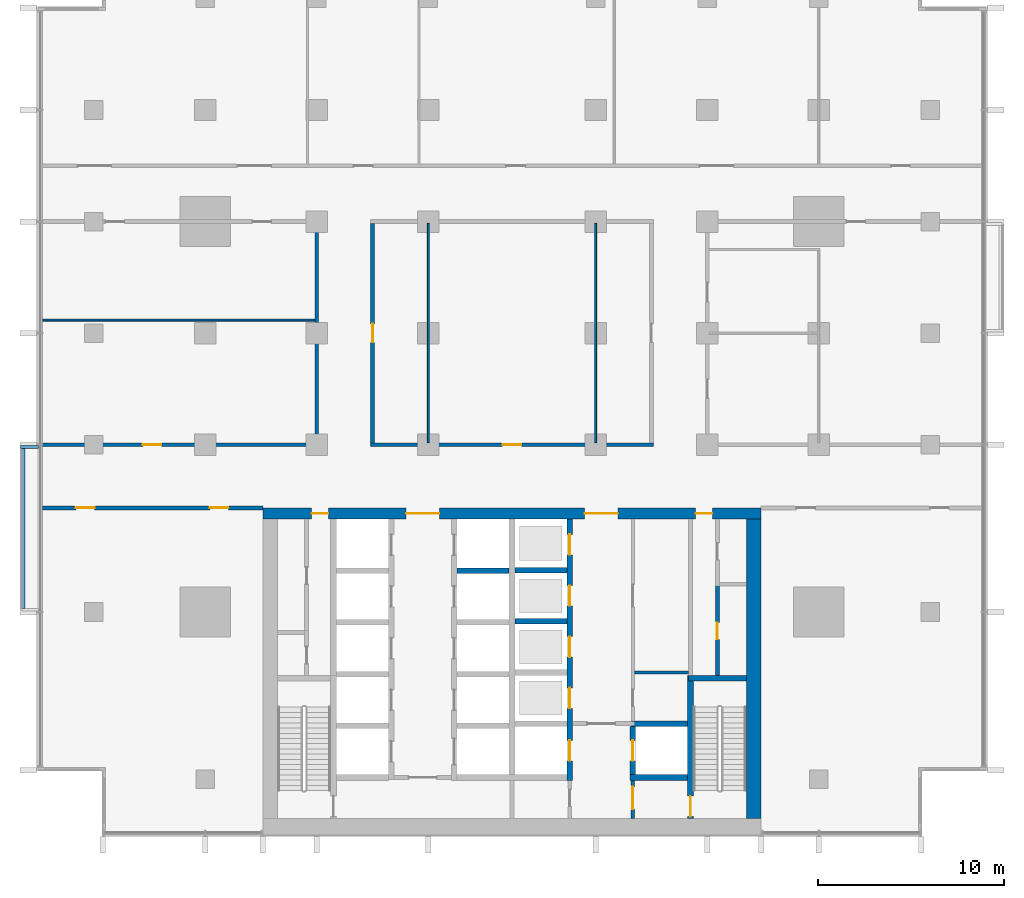
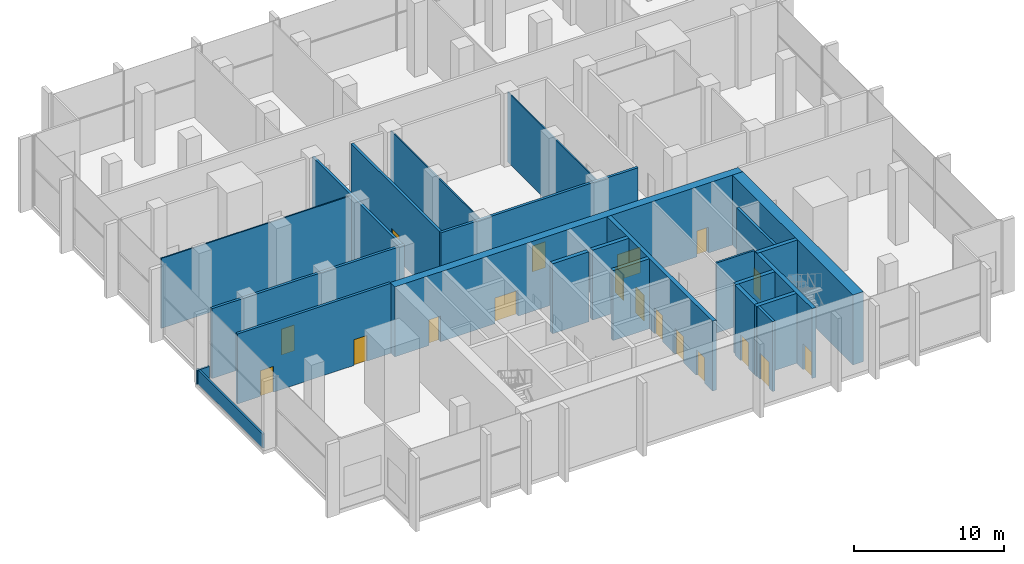
# One storey, part 8 of 16: 24 walls, 18 doors, 18 openings.
"""IFC4 building model written with IfcOpenShell, lengths in metres."""

from ifc_helpers import new_model, si_unit, direction, frame, frame_2d, origin, place, context, subcontext, project, spatial, rectangle, extrude, material, layer, layer_set, type_object, element, fill, save


model = new_model("IFC4")

# Units and contexts
model_context = context("Model", 3, precision=1e-05, world=origin(), true_north=direction((0.0, 1.0)))
body_context = subcontext(model_context, "Body", "Model", "MODEL_VIEW")
ifc_project = project(units=[si_unit("LENGTHUNIT", "METRE"), si_unit("AREAUNIT", "SQUARE_METRE"), si_unit("VOLUMEUNIT", "CUBIC_METRE"), si_unit("PLANEANGLEUNIT", "RADIAN"), si_unit("MASSUNIT", "GRAM", prefix="KILO")], contexts=[model_context])

# Site, building, storey
site_placement = place(None, origin())
site = spatial("IfcSite", under=ifc_project, at=site_placement, CompositionType="ELEMENT")
building_placement = place(site_placement, origin())
building = spatial("IfcBuilding", under=site, at=building_placement, Name="Finial Court Residences", CompositionType="ELEMENT")
storey_placement = place(building_placement, frame((0.0, 0.0, 127.89990234375)))
storey = spatial("IfcBuildingStorey", under=building, at=storey_placement, Name="L32", CompositionType="ELEMENT", Elevation=127.89990234375)

# Wall, openings, doors
ifc_material_1 = material(Name="Concrete C70/85", Category="concrete")
ifc_layer_1 = layer(ifc_material_1, 0.60009765625)
ifc_layer_set_1 = layer_set([ifc_layer_1], Name="Core outer wall 600 Concrete C70/85")
wall_type_1 = type_object("IfcWallType", Name="Core outer wall 600 Concrete C70/85", PredefinedType="SHEAR", material=ifc_layer_set_1)
wall_1_placement = place(storey_placement, frame((-13.39990234375, -8.199951171875, 0.0), z_axis=(0.0, 0.0, 1.0), x_axis=(1.0, 0.0, 0.0)))
wall_1 = element("IfcWall", 1, at=wall_1_placement, inside=storey, type_object=wall_type_1, Name="Core outer wall L32-02", PredefinedType="SHEAR", context=body_context, shape_type="SweptSolid", body=[
    extrude(rectangle(XDim=26.7998046875, YDim=0.60009765625, at=frame_2d((13.39990234375, 0.0))), origin(), (0.0, 0.0, 1.0), 5.7001953125),
])
opening_1_placement = place(wall_1_placement, frame((7.699951171875, 0.0, 0.0)))
opening_1 = element("IfcOpeningElement", 2, at=opening_1_placement, cuts=wall_1, Name="Opening L32-C04", PredefinedType="OPENING", context=body_context, shape_type="SweptSolid", body=[
    extrude(rectangle(XDim=1.800048828125, YDim=2.10009765625, at=frame_2d((0.89990234375, 1.050048828125))), frame((0.0, 0.31005859375, 0.0), z_axis=(0.0, -1.0, 0.0), x_axis=(1.0, 0.0, 0.0)), (0.0, 0.0, 1.0), 0.6201171875),
])
opening_2_placement = place(wall_1_placement, frame((17.300048828125, 0.0, 0.0)))
opening_2 = element("IfcOpeningElement", 3, at=opening_2_placement, cuts=wall_1, Name="Opening L32-C05", PredefinedType="OPENING", context=body_context, shape_type="SweptSolid", body=[
    extrude(rectangle(XDim=1.800048828125, YDim=2.10009765625, at=frame_2d((0.89990234375, 1.050048828125))), frame((0.0, 0.31005859375, 0.0), z_axis=(0.0, -1.0, 0.0), x_axis=(1.0, 0.0, 0.0)), (0.0, 0.0, 1.0), 0.6201171875),
])
opening_3_placement = place(wall_1_placement, frame((2.625, 0.0, 0.0)))
opening_3 = element("IfcOpeningElement", 4, at=opening_3_placement, cuts=wall_1, Name="Opening L32-C09", PredefinedType="OPENING", context=body_context, shape_type="SweptSolid", body=[
    extrude(rectangle(XDim=0.89990234375, YDim=2.10009765625, at=frame_2d((0.449951171875, 1.050048828125))), frame((0.0, 0.31005859375, 0.0), z_axis=(0.0, -1.0, 0.0), x_axis=(1.0, 0.0, 0.0)), (0.0, 0.0, 1.0), 0.6201171875),
])
opening_4_placement = place(wall_1_placement, frame((23.27490234375, 0.0, 0.0)))
opening_4 = element("IfcOpeningElement", 5, at=opening_4_placement, cuts=wall_1, Name="Opening L32-C10", PredefinedType="OPENING", context=body_context, shape_type="SweptSolid", body=[
    extrude(rectangle(XDim=0.89990234375, YDim=2.10009765625, at=frame_2d((0.449951171875, 1.050048828125))), frame((0.0, 0.31005859375, 0.0), z_axis=(0.0, -1.0, 0.0), x_axis=(1.0, 0.0, 0.0)), (0.0, 0.0, 1.0), 0.6201171875),
])
ifc_material_2 = material(Name="Steel fire door", Category="steel")
door_type_1 = type_object("IfcDoorType", Name="Lift lobby door 1800 x 2100 EI 60", OperationType="DOUBLE_DOOR_SINGLE_SWING", PredefinedType="DOOR", material=ifc_material_2)
door_1_placement = place(opening_1_placement, origin())
door_1 = element("IfcDoor", 6, at=door_1_placement, inside=storey, type_object=door_type_1, Name="Lift lobby door L32-C04", OperationType="DOUBLE_DOOR_SINGLE_SWING", OverallHeight=2.10009765625, OverallWidth=1.800048828125, PredefinedType="DOOR", context=body_context, shape_type="SweptSolid", body=[
    extrude(rectangle(XDim=1.800048828125, YDim=2.10009765625, at=frame_2d((0.89990234375, 1.050048828125))), frame((0.0, 0.02490234375, 0.0), z_axis=(0.0, -1.0, 0.0), x_axis=(1.0, 0.0, 0.0)), (0.0, 0.0, 1.0), 0.050048828125),
])
fill(opening_1, door_1)
door_2_placement = place(opening_2_placement, origin())
door_2 = element("IfcDoor", 7, at=door_2_placement, inside=storey, type_object=door_type_1, Name="Lift lobby door L32-C05", OperationType="DOUBLE_DOOR_SINGLE_SWING", OverallHeight=2.10009765625, OverallWidth=1.800048828125, PredefinedType="DOOR", context=body_context, shape_type="SweptSolid", body=[
    extrude(rectangle(XDim=1.800048828125, YDim=2.10009765625, at=frame_2d((0.89990234375, 1.050048828125))), frame((0.0, 0.02490234375, 0.0), z_axis=(0.0, -1.0, 0.0), x_axis=(1.0, 0.0, 0.0)), (0.0, 0.0, 1.0), 0.050048828125),
])
fill(opening_2, door_2)
door_type_2 = type_object("IfcDoorType", Name="Riser room door 900 x 2100 EI 90", OperationType="NOTDEFINED", PredefinedType="DOOR", material=ifc_material_2)
door_3_placement = place(opening_3_placement, origin())
door_3 = element("IfcDoor", 8, at=door_3_placement, inside=storey, type_object=door_type_2, Name="Riser room door L32-C09", OperationType="SINGLE_SWING_RIGHT", OverallHeight=2.10009765625, OverallWidth=0.89990234375, PredefinedType="DOOR", context=body_context, shape_type="SweptSolid", body=[
    extrude(rectangle(XDim=0.89990234375, YDim=2.10009765625, at=frame_2d((0.449951171875, 1.050048828125))), frame((0.0, 0.02490234375, 0.0), z_axis=(0.0, -1.0, 0.0), x_axis=(1.0, 0.0, 0.0)), (0.0, 0.0, 1.0), 0.050048828125),
])
fill(opening_3, door_3)
door_4_placement = place(opening_4_placement, origin())
door_4 = element("IfcDoor", 9, at=door_4_placement, inside=storey, type_object=door_type_2, Name="Riser room door L32-C10", OperationType="SINGLE_SWING_LEFT", OverallHeight=2.10009765625, OverallWidth=0.89990234375, PredefinedType="DOOR", context=body_context, shape_type="SweptSolid", body=[
    extrude(rectangle(XDim=0.89990234375, YDim=2.10009765625, at=frame_2d((0.449951171875, 1.050048828125))), frame((0.0, 0.02490234375, 0.0), z_axis=(0.0, -1.0, 0.0), x_axis=(1.0, 0.0, 0.0)), (0.0, 0.0, 1.0), 0.050048828125),
])
fill(opening_4, door_4)

# Walls
ifc_layer_2 = layer(ifc_material_1, 0.800048828125)
ifc_layer_set_2 = layer_set([ifc_layer_2], Name="Core outer wall 800 Concrete C70/85")
wall_type_2 = type_object("IfcWallType", Name="Core outer wall 800 Concrete C70/85", PredefinedType="SHEAR", material=ifc_layer_set_2)
wall_2_placement = place(storey_placement, frame((13.0, -24.60009765625, 0.0), z_axis=(0.0, 0.0, 1.0), x_axis=(0.0, 1.0, 0.0)))
element("IfcWall", 10, at=wall_2_placement, inside=storey, type_object=wall_type_2, Name="Core outer wall L32-04", PredefinedType="SHEAR", context=body_context, shape_type="SweptSolid", body=[
    extrude(rectangle(XDim=16.10009765625, YDim=0.800048828125, at=frame_2d((8.050048828125, 0.0))), origin(), (0.0, 0.0, 1.0), 5.7001953125),
])
ifc_material_3 = material(Name="Fire-rated gypsum board partition")
ifc_layer_3 = layer(ifc_material_3, 0.14990234375)
ifc_layer_set_3 = layer_set([ifc_layer_3], Name="Core room partition 150 EI 60")
wall_type_3 = type_object("IfcWallType", Name="Core room partition 150 EI 60", PredefinedType="PARTITIONING", material=ifc_layer_set_3)
wall_3_placement = place(storey_placement, frame((6.574951171875, -16.75, 0.0), z_axis=(0.0, 0.0, 1.0), x_axis=(1.0, 0.0, 0.0)))
element("IfcWall", 11, at=wall_3_placement, inside=storey, type_object=wall_type_3, Name="Core partition L32-15", PredefinedType="PARTITIONING", context=body_context, shape_type="SweptSolid", body=[
    extrude(rectangle(XDim=2.925048828125, YDim=0.14990234375, at=frame_2d((1.46240234375, 0.0))), origin(), (0.0, 0.0, 1.0), 5.7001953125),
])

# Wall, openings, doors
ifc_material_4 = material(Name="Gypsum board")
ifc_layer_4 = layer(ifc_material_4, 0.02490234375)
ifc_material_5 = material(Name="Acoustic mineral wool in double frame")
ifc_layer_5 = layer(ifc_material_5, 0.14990234375)
ifc_layer_6 = layer(ifc_material_4, 0.02490234375)
ifc_layer_set_4 = layer_set([ifc_layer_4, ifc_layer_5, ifc_layer_6], Name="Corridor wall 200, 1 hour")
wall_type_4 = type_object("IfcWallType", Name="Corridor wall 200, 1 hour", PredefinedType="PARTITIONING", material=ifc_layer_set_4)
wall_4_placement = place(storey_placement, frame((-25.237548828125, -7.89990234375, 0.0), z_axis=(0.0, 0.0, 1.0), x_axis=(1.0, 0.0, 0.0)))
wall_4 = element("IfcWall", 12, at=wall_4_placement, inside=storey, type_object=wall_type_4, Name="Partition L32-000", PredefinedType="PARTITIONING", context=body_context, shape_type="SweptSolid", body=[
    extrude(rectangle(XDim=11.837646484375, YDim=0.199951171875, at=frame_2d((5.9189453125, 0.0))), origin(), (0.0, 0.0, 1.0), 5.7001953125),
])
opening_5_placement = place(wall_4_placement, frame((1.7880859375, 0.0, 0.0)))
opening_5 = element("IfcOpeningElement", 13, at=opening_5_placement, cuts=wall_4, Name="Opening L32-D001", PredefinedType="OPENING", context=body_context, shape_type="SweptSolid", body=[
    extrude(rectangle(XDim=1.0, YDim=2.10009765625, at=frame_2d((0.5, 1.050048828125))), frame((0.0, 0.10986328125, 0.0), z_axis=(0.0, -1.0, 0.0), x_axis=(1.0, 0.0, 0.0)), (0.0, 0.0, 1.0), 0.219970703125),
])
opening_6_placement = place(wall_4_placement, frame((8.988037109375, 0.0, 0.0)))
opening_6 = element("IfcOpeningElement", 14, at=opening_6_placement, cuts=wall_4, Name="Opening L32-D002", PredefinedType="OPENING", context=body_context, shape_type="SweptSolid", body=[
    extrude(rectangle(XDim=1.0, YDim=2.10009765625, at=frame_2d((0.5, 1.050048828125))), frame((0.0, 0.10986328125, 0.0), z_axis=(0.0, -1.0, 0.0), x_axis=(1.0, 0.0, 0.0)), (0.0, 0.0, 1.0), 0.219970703125),
])
ifc_material_6 = material(Name="Timber door leaf in hollow metal frame", Category="wood")
door_type_3 = type_object("IfcDoorType", Name="Fire door set 1000 x 2100, 30 minutes", OperationType="SINGLE_SWING_LEFT", PredefinedType="DOOR", material=ifc_material_6)
door_5_placement = place(opening_5_placement, origin())
door_5 = element("IfcDoor", 15, at=door_5_placement, inside=storey, type_object=door_type_3, Name="Door L32-D001", OperationType="SINGLE_SWING_LEFT", OverallHeight=2.10009765625, OverallWidth=1.0, PredefinedType="DOOR", context=body_context, shape_type="SweptSolid", body=[
    extrude(rectangle(XDim=1.0, YDim=2.10009765625, at=frame_2d((0.5, 1.050048828125))), frame((0.0, 0.02490234375, 0.0), z_axis=(0.0, -1.0, 0.0), x_axis=(1.0, 0.0, 0.0)), (0.0, 0.0, 1.0), 0.050048828125),
])
fill(opening_5, door_5)
door_6_placement = place(opening_6_placement, origin())
door_6 = element("IfcDoor", 16, at=door_6_placement, inside=storey, type_object=door_type_3, Name="Door L32-D002", OperationType="SINGLE_SWING_RIGHT", OverallHeight=2.10009765625, OverallWidth=1.0, PredefinedType="DOOR", context=body_context, shape_type="SweptSolid", body=[
    extrude(rectangle(XDim=1.0, YDim=2.10009765625, at=frame_2d((0.5, 1.050048828125))), frame((0.0, 0.02490234375, 0.0), z_axis=(0.0, -1.0, 0.0), x_axis=(1.0, 0.0, 0.0)), (0.0, 0.0, 1.0), 0.050048828125),
])
fill(opening_6, door_6)

# Wall, opening, door
wall_5_placement = place(storey_placement, frame((-25.237548828125, -4.5, 0.0), z_axis=(0.0, 0.0, 1.0), x_axis=(1.0, 0.0, 0.0)))
wall_5 = element("IfcWall", 17, at=wall_5_placement, inside=storey, type_object=wall_type_4, Name="Partition L32-002", PredefinedType="PARTITIONING", context=body_context, shape_type="SweptSolid", body=[
    extrude(rectangle(XDim=14.837646484375, YDim=0.199951171875, at=frame_2d((7.4189453125, 0.0))), origin(), (0.0, 0.0, 1.0), 5.7001953125),
])
opening_7_placement = place(wall_5_placement, frame((5.386962890625, 0.0, 0.0)))
opening_7 = element("IfcOpeningElement", 18, at=opening_7_placement, cuts=wall_5, Name="Opening L32-D005", PredefinedType="OPENING", context=body_context, shape_type="SweptSolid", body=[
    extrude(rectangle(XDim=1.0, YDim=2.10009765625, at=frame_2d((0.5, 1.050048828125))), frame((0.0, 0.10986328125, 0.0), z_axis=(0.0, -1.0, 0.0), x_axis=(1.0, 0.0, 0.0)), (0.0, 0.0, 1.0), 0.219970703125),
])
door_7_placement = place(opening_7_placement, origin())
door_7 = element("IfcDoor", 19, at=door_7_placement, inside=storey, type_object=door_type_3, Name="Door L32-D005", OperationType="SINGLE_SWING_RIGHT", OverallHeight=2.10009765625, OverallWidth=1.0, PredefinedType="DOOR", context=body_context, shape_type="SweptSolid", body=[
    extrude(rectangle(XDim=1.0, YDim=2.10009765625, at=frame_2d((0.5, 1.050048828125))), frame((0.0, 0.02490234375, 0.0), z_axis=(0.0, -1.0, 0.0), x_axis=(1.0, 0.0, 0.0)), (0.0, 0.0, 1.0), 0.050048828125),
])
fill(opening_7, door_7)

wall_6_placement = place(storey_placement, frame((-7.60009765625, -4.5, 0.0), z_axis=(0.0, 0.0, 1.0), x_axis=(1.0, 0.0, 0.0)))
wall_6 = element("IfcWall", 20, at=wall_6_placement, inside=storey, type_object=wall_type_4, Name="Partition L32-003", PredefinedType="PARTITIONING", context=body_context, shape_type="SweptSolid", body=[
    extrude(rectangle(XDim=15.2001953125, YDim=0.199951171875, at=frame_2d((7.60009765625, 0.0))), origin(), (0.0, 0.0, 1.0), 5.7001953125),
])
opening_8_placement = place(wall_6_placement, frame((7.10009765625, 0.0, 0.0)))
opening_8 = element("IfcOpeningElement", 21, at=opening_8_placement, cuts=wall_6, Name="Opening L32-D006", PredefinedType="OPENING", context=body_context, shape_type="SweptSolid", body=[
    extrude(rectangle(XDim=1.0, YDim=2.10009765625, at=frame_2d((0.5, 1.050048828125))), frame((0.0, 0.10986328125, 0.0), z_axis=(0.0, -1.0, 0.0), x_axis=(1.0, 0.0, 0.0)), (0.0, 0.0, 1.0), 0.219970703125),
])
door_8_placement = place(opening_8_placement, origin())
door_8 = element("IfcDoor", 22, at=door_8_placement, inside=storey, type_object=door_type_3, Name="Door L32-D006", OperationType="SINGLE_SWING_LEFT", OverallHeight=2.10009765625, OverallWidth=1.0, PredefinedType="DOOR", context=body_context, shape_type="SweptSolid", body=[
    extrude(rectangle(XDim=1.0, YDim=2.10009765625, at=frame_2d((0.5, 1.050048828125))), frame((0.0, 0.02490234375, 0.0), z_axis=(0.0, -1.0, 0.0), x_axis=(1.0, 0.0, 0.0)), (0.0, 0.0, 1.0), 0.050048828125),
])
fill(opening_8, door_8)

# Wall
wall_7_placement = place(storey_placement, frame((-10.5, -4.39990234375, 0.0), z_axis=(0.0, 0.0, 1.0), x_axis=(0.0, 1.0, 0.0)))
element("IfcWall", 23, at=wall_7_placement, inside=storey, type_object=wall_type_4, Name="Partition L32-013", PredefinedType="PARTITIONING", context=body_context, shape_type="SweptSolid", body=[
    extrude(rectangle(XDim=11.7998046875, YDim=0.199951171875, at=frame_2d((5.89990234375, 0.0))), origin(), (0.0, 0.0, 1.0), 5.7001953125),
])

# Wall, opening, door
wall_8_placement = place(storey_placement, frame((-7.5, -4.39990234375, 0.0), z_axis=(0.0, 0.0, 1.0), x_axis=(0.0, 1.0, 0.0)))
wall_8 = element("IfcWall", 24, at=wall_8_placement, inside=storey, type_object=wall_type_4, Name="Partition L32-014", PredefinedType="PARTITIONING", context=body_context, shape_type="SweptSolid", body=[
    extrude(rectangle(XDim=11.7998046875, YDim=0.199951171875, at=frame_2d((5.89990234375, 0.0))), origin(), (0.0, 0.0, 1.0), 5.7001953125),
])
opening_9_placement = place(wall_8_placement, frame((5.39990234375, 0.0, 0.0)))
opening_9 = element("IfcOpeningElement", 25, at=opening_9_placement, cuts=wall_8, Name="Opening L32-D016", PredefinedType="OPENING", context=body_context, shape_type="SweptSolid", body=[
    extrude(rectangle(XDim=1.0, YDim=2.10009765625, at=frame_2d((0.5, 1.050048828125))), frame((0.0, 0.10986328125, 0.0), z_axis=(0.0, -1.0, 0.0), x_axis=(1.0, 0.0, 0.0)), (0.0, 0.0, 1.0), 0.219970703125),
])
door_9_placement = place(opening_9_placement, origin())
door_9 = element("IfcDoor", 26, at=door_9_placement, inside=storey, type_object=door_type_3, Name="Door L32-D016", OperationType="SINGLE_SWING_RIGHT", OverallHeight=2.10009765625, OverallWidth=1.0, PredefinedType="DOOR", context=body_context, shape_type="SweptSolid", body=[
    extrude(rectangle(XDim=1.0, YDim=2.10009765625, at=frame_2d((0.5, 1.050048828125))), frame((0.0, 0.02490234375, 0.0), z_axis=(0.0, -1.0, 0.0), x_axis=(1.0, 0.0, 0.0)), (0.0, 0.0, 1.0), 0.050048828125),
])
fill(opening_9, door_9)

ifc_layer_7 = layer(ifc_material_3, 0.199951171875)
ifc_layer_set_5 = layer_set([ifc_layer_7], Name="Firefighting lobby wall 200 EI 120")
wall_type_5 = type_object("IfcWallType", Name="Firefighting lobby wall 200 EI 120", PredefinedType="PARTITIONING", material=ifc_layer_set_5)
wall_9_placement = place(storey_placement, frame((6.5, -22.550048828125, 0.0), z_axis=(0.0, 0.0, 1.0), x_axis=(0.0, -1.0, 0.0)))
wall_9 = element("IfcWall", 27, at=wall_9_placement, inside=storey, type_object=wall_type_5, Name="Core partition L32-34", PredefinedType="PARTITIONING", context=body_context, shape_type="SweptSolid", body=[
    extrude(rectangle(XDim=2.050048828125, YDim=0.199951171875, at=frame_2d((1.02490234375, 0.0))), origin(), (0.0, 0.0, 1.0), 5.7001953125),
])
opening_10_placement = place(wall_9_placement, frame((0.35009765625, 0.0, 0.0)))
opening_10 = element("IfcOpeningElement", 28, at=opening_10_placement, cuts=wall_9, Name="Opening L32-C01", PredefinedType="OPENING", context=body_context, shape_type="SweptSolid", body=[
    extrude(rectangle(XDim=1.199951171875, YDim=2.10009765625, at=frame_2d((0.60009765625, 1.050048828125))), frame((0.0, 0.10986328125, 0.0), z_axis=(0.0, -1.0, 0.0), x_axis=(1.0, 0.0, 0.0)), (0.0, 0.0, 1.0), 0.219970703125),
])
door_type_4 = type_object("IfcDoorType", Name="Firefighting lobby door 1200 x 2100 EI 90", OperationType="NOTDEFINED", PredefinedType="DOOR", material=ifc_material_2)
door_10_placement = place(opening_10_placement, origin())
door_10 = element("IfcDoor", 29, at=door_10_placement, inside=storey, type_object=door_type_4, Name="Firefighting lobby door L32-C01", OperationType="SINGLE_SWING_RIGHT", OverallHeight=2.10009765625, OverallWidth=1.199951171875, PredefinedType="DOOR", context=body_context, shape_type="SweptSolid", body=[
    extrude(rectangle(XDim=1.199951171875, YDim=2.10009765625, at=frame_2d((0.60009765625, 1.050048828125))), frame((0.0, 0.02490234375, 0.0), z_axis=(0.0, -1.0, 0.0), x_axis=(1.0, 0.0, 0.0)), (0.0, 0.0, 1.0), 0.050048828125),
])
fill(opening_10, door_10)

# Walls
ifc_layer_8 = layer(ifc_material_4, 0.012451171875)
ifc_material_7 = material(Name="Mineral wool in light-gauge frame")
ifc_layer_9 = layer(ifc_material_7, 0.074951171875)
ifc_layer_10 = layer(ifc_material_4, 0.012451171875)
ifc_layer_set_6 = layer_set([ifc_layer_8, ifc_layer_9, ifc_layer_10], Name="Gypsum board partition 100")
wall_type_6 = type_object("IfcWallType", Name="Gypsum board partition 100", PredefinedType="PARTITIONING", material=ifc_layer_set_6)
wall_10_placement = place(storey_placement, frame((-25.237548828125, 2.199951171875, 0.0), z_axis=(0.0, 0.0, 1.0), x_axis=(1.0, 0.0, 0.0)))
element("IfcWall", 30, at=wall_10_placement, inside=storey, type_object=wall_type_6, Name="Partition L32-006", PredefinedType="PARTITIONING", context=body_context, shape_type="SweptSolid", body=[
    extrude(rectangle(XDim=14.637451171875, YDim=0.10009765625, at=frame_2d((7.31884765625, 0.0))), origin(), (0.0, 0.0, 1.0), 5.7001953125),
])
for number, where, z_axis, x_axis, name in (
    (31, (-4.5, -4.39990234375, 0.0), (0.0, 0.0, 1.0), (0.0, 1.0, 0.0), "Partition L32-016"),
    (32, (4.5, -4.39990234375, 0.0), (0.0, 0.0, 1.0), (0.0, 1.0, 0.0), "Partition L32-017"),
):
    element("IfcWall", number, at=place(storey_placement, frame(where, z_axis=z_axis, x_axis=x_axis)), inside=storey, type_object=wall_type_6, Name=name, PredefinedType="PARTITIONING", context=body_context, shape_type="SweptSolid", body=[
        extrude(rectangle(XDim=11.7998046875, YDim=0.10009765625, at=frame_2d((5.89990234375, 0.0))), origin(), (0.0, 0.0, 1.0), 5.7001953125),
    ])
ifc_material_8 = material(Name="Concrete C35/45", Category="concrete")
ifc_layer_11 = layer(ifc_material_8, 0.14990234375)
ifc_layer_set_7 = layer_set([ifc_layer_11], Name="Ledge parapet, Concrete C35/45 150")
wall_type_7 = type_object("IfcWallType", Name="Ledge parapet, Concrete C35/45 150", PredefinedType="PARAPET", material=ifc_layer_set_7)
wall_11_placement = place(storey_placement, frame((-26.4375, -4.625, 0.0), z_axis=(0.0, 0.0, 1.0), x_axis=(1.0, 0.0, 0.0)))
element("IfcWall", 33, at=wall_11_placement, inside=storey, type_object=wall_type_7, Name="E-L32-LED3-P1", PredefinedType="PARAPET", context=body_context, shape_type="SweptSolid", body=[
    extrude(rectangle(XDim=0.965087890625, YDim=0.14990234375, at=frame_2d((0.482421875, 0.0))), origin(), (0.0, 0.0, 1.0), 1.150146484375),
])
wall_12_placement = place(storey_placement, frame((-26.27490234375, -13.300048828125, 0.0), z_axis=(0.0, 0.0, 1.0), x_axis=(0.0, 1.0, 0.0)))
element("IfcWall", 34, at=wall_12_placement, inside=storey, type_object=wall_type_7, Name="E-L32-LED3-P3", PredefinedType="PARAPET", context=body_context, shape_type="SweptSolid", body=[
    extrude(rectangle(XDim=8.837646484375, YDim=0.14990234375, at=frame_2d((4.4189453125, 0.0))), origin(), (0.0, 0.0, 1.0), 1.150146484375),
])
ifc_layer_12 = layer(ifc_material_1, 0.300048828125)
ifc_layer_set_8 = layer_set([ifc_layer_12], Name="Lift shaft and stair wall 300 Concrete C70/85")
wall_type_8 = type_object("IfcWallType", Name="Lift shaft and stair wall 300 Concrete C70/85", PredefinedType="SHEAR", material=ifc_layer_set_8)
wall_13_placement = place(storey_placement, frame((6.35009765625, -22.39990234375, 0.0), z_axis=(0.0, 0.0, 1.0), x_axis=(1.0, 0.0, 0.0)))
element("IfcWall", 35, at=wall_13_placement, inside=storey, type_object=wall_type_8, Name="Core wall L32-04", PredefinedType="SHEAR", context=body_context, shape_type="SweptSolid", body=[
    extrude(rectangle(XDim=3.099853515625, YDim=0.300048828125, at=frame_2d((1.5498046875, 0.0))), origin(), (0.0, 0.0, 1.0), 5.7001953125),
])
wall_14_placement = place(storey_placement, frame((6.425048828125, -19.5, 0.0), z_axis=(0.0, 0.0, 1.0), x_axis=(1.0, 0.0, 0.0)))
element("IfcWall", 36, at=wall_14_placement, inside=storey, type_object=wall_type_8, Name="Core wall L32-09", PredefinedType="SHEAR", context=body_context, shape_type="SweptSolid", body=[
    extrude(rectangle(XDim=3.02490234375, YDim=0.300048828125, at=frame_2d((1.512451171875, 0.0))), origin(), (0.0, 0.0, 1.0), 5.7001953125),
])
wall_15_placement = place(storey_placement, frame((9.5, -17.050048828125, 0.0), z_axis=(0.0, 0.0, 1.0), x_axis=(1.0, 0.0, 0.0)))
element("IfcWall", 37, at=wall_15_placement, inside=storey, type_object=wall_type_8, Name="Core wall L32-11", PredefinedType="SHEAR", context=body_context, shape_type="SweptSolid", body=[
    extrude(rectangle(XDim=3.10009765625, YDim=0.300048828125, at=frame_2d((1.550048828125, 0.0))), origin(), (0.0, 0.0, 1.0), 5.7001953125),
])
for number, where, z_axis, x_axis, name in (
    (38, (0.14990234375, -14.0, 0.0), (0.0, 0.0, 1.0), (1.0, 0.0, 0.0), "Core wall L32-19"),
    (39, (-2.949951171875, -11.280029296875, 0.0), (0.0, 0.0, 1.0), (1.0, 0.0, 0.0), "Core wall L32-22"),
    (40, (0.14990234375, -11.25, 0.0), (0.0, 0.0, 1.0), (1.0, 0.0, 0.0), "Core wall L32-23"),
):
    element("IfcWall", number, at=place(storey_placement, frame(where, z_axis=z_axis, x_axis=x_axis)), inside=storey, type_object=wall_type_8, Name=name, PredefinedType="SHEAR", context=body_context, shape_type="SweptSolid", body=[
        extrude(rectangle(XDim=2.800048828125, YDim=0.300048828125, at=frame_2d((1.39990234375, 0.0))), origin(), (0.0, 0.0, 1.0), 5.7001953125),
    ])

# Wall, openings, doors
wall_16_placement = place(storey_placement, frame((3.10009765625, -22.550048828125, 0.0), z_axis=(0.0, 0.0, 1.0), x_axis=(0.0, 1.0, 0.0)))
wall_16 = element("IfcWall", 41, at=wall_16_placement, inside=storey, type_object=wall_type_8, Name="Core wall L32-33", PredefinedType="SHEAR", context=body_context, shape_type="SweptSolid", body=[
    extrude(rectangle(XDim=14.050048828125, YDim=0.300048828125, at=frame_2d((7.02490234375, 0.0))), origin(), (0.0, 0.0, 1.0), 5.7001953125),
])
opening_11_placement = place(wall_16_placement, frame((1.050048828125, 0.0, 0.0)))
opening_11 = element("IfcOpeningElement", 42, at=opening_11_placement, cuts=wall_16, Name="Opening L32-LD01", PredefinedType="OPENING", context=body_context, shape_type="SweptSolid", body=[
    extrude(rectangle(XDim=1.10009765625, YDim=2.10009765625, at=frame_2d((0.550048828125, 1.050048828125))), frame((0.0, 0.159912109375, 0.0), z_axis=(0.0, -1.0, 0.0), x_axis=(1.0, 0.0, 0.0)), (0.0, 0.0, 1.0), 0.320068359375),
])
opening_12_placement = place(wall_16_placement, frame((3.875, 0.0, 0.0)))
opening_12 = element("IfcOpeningElement", 43, at=opening_12_placement, cuts=wall_16, Name="Opening L32-LD03", PredefinedType="OPENING", context=body_context, shape_type="SweptSolid", body=[
    extrude(rectangle(XDim=1.10009765625, YDim=2.10009765625, at=frame_2d((0.550048828125, 1.050048828125))), frame((0.0, 0.159912109375, 0.0), z_axis=(0.0, -1.0, 0.0), x_axis=(1.0, 0.0, 0.0)), (0.0, 0.0, 1.0), 0.320068359375),
])
opening_13_placement = place(wall_16_placement, frame((6.625, 0.0, 0.0)))
opening_13 = element("IfcOpeningElement", 44, at=opening_13_placement, cuts=wall_16, Name="Opening L32-LD04", PredefinedType="OPENING", context=body_context, shape_type="SweptSolid", body=[
    extrude(rectangle(XDim=1.10009765625, YDim=2.10009765625, at=frame_2d((0.550048828125, 1.050048828125))), frame((0.0, 0.159912109375, 0.0), z_axis=(0.0, -1.0, 0.0), x_axis=(1.0, 0.0, 0.0)), (0.0, 0.0, 1.0), 0.320068359375),
])
opening_14_placement = place(wall_16_placement, frame((9.375, 0.0, 0.0)))
opening_14 = element("IfcOpeningElement", 45, at=opening_14_placement, cuts=wall_16, Name="Opening L32-LD05", PredefinedType="OPENING", context=body_context, shape_type="SweptSolid", body=[
    extrude(rectangle(XDim=1.10009765625, YDim=2.10009765625, at=frame_2d((0.550048828125, 1.050048828125))), frame((0.0, 0.159912109375, 0.0), z_axis=(0.0, -1.0, 0.0), x_axis=(1.0, 0.0, 0.0)), (0.0, 0.0, 1.0), 0.320068359375),
])
opening_15_placement = place(wall_16_placement, frame((12.125, 0.0, 0.0)))
opening_15 = element("IfcOpeningElement", 46, at=opening_15_placement, cuts=wall_16, Name="Opening L32-LD06", PredefinedType="OPENING", context=body_context, shape_type="SweptSolid", body=[
    extrude(rectangle(XDim=1.10009765625, YDim=2.10009765625, at=frame_2d((0.550048828125, 1.050048828125))), frame((0.0, 0.159912109375, 0.0), z_axis=(0.0, -1.0, 0.0), x_axis=(1.0, 0.0, 0.0)), (0.0, 0.0, 1.0), 0.320068359375),
])
ifc_material_9 = material(Name="Stainless steel lift door", Category="steel")
door_type_5 = type_object("IfcDoorType", Name="Lift landing door 1100 x 2100 EI 90", OperationType="DOUBLE_DOOR_SLIDING", PredefinedType="DOOR", material=ifc_material_9)
door_11_placement = place(opening_11_placement, origin())
door_11 = element("IfcDoor", 47, at=door_11_placement, inside=storey, type_object=door_type_5, Name="Lift landing door FF1 L32", OperationType="DOUBLE_DOOR_SLIDING", OverallHeight=2.10009765625, OverallWidth=1.10009765625, PredefinedType="DOOR", context=body_context, shape_type="SweptSolid", body=[
    extrude(rectangle(XDim=1.10009765625, YDim=2.10009765625, at=frame_2d((0.550048828125, 1.050048828125))), frame((0.0, 0.02490234375, 0.0), z_axis=(0.0, -1.0, 0.0), x_axis=(1.0, 0.0, 0.0)), (0.0, 0.0, 1.0), 0.050048828125),
])
fill(opening_11, door_11)
door_12_placement = place(opening_12_placement, origin())
door_12 = element("IfcDoor", 48, at=door_12_placement, inside=storey, type_object=door_type_5, Name="Lift landing door HR1 L32", OperationType="DOUBLE_DOOR_SLIDING", OverallHeight=2.10009765625, OverallWidth=1.10009765625, PredefinedType="DOOR", context=body_context, shape_type="SweptSolid", body=[
    extrude(rectangle(XDim=1.10009765625, YDim=2.10009765625, at=frame_2d((0.550048828125, 1.050048828125))), frame((0.0, 0.02490234375, 0.0), z_axis=(0.0, -1.0, 0.0), x_axis=(1.0, 0.0, 0.0)), (0.0, 0.0, 1.0), 0.050048828125),
])
fill(opening_12, door_12)
door_13_placement = place(opening_13_placement, origin())
door_13 = element("IfcDoor", 49, at=door_13_placement, inside=storey, type_object=door_type_5, Name="Lift landing door HR2 L32", OperationType="DOUBLE_DOOR_SLIDING", OverallHeight=2.10009765625, OverallWidth=1.10009765625, PredefinedType="DOOR", context=body_context, shape_type="SweptSolid", body=[
    extrude(rectangle(XDim=1.10009765625, YDim=2.10009765625, at=frame_2d((0.550048828125, 1.050048828125))), frame((0.0, 0.02490234375, 0.0), z_axis=(0.0, -1.0, 0.0), x_axis=(1.0, 0.0, 0.0)), (0.0, 0.0, 1.0), 0.050048828125),
])
fill(opening_13, door_13)
door_14_placement = place(opening_14_placement, origin())
door_14 = element("IfcDoor", 50, at=door_14_placement, inside=storey, type_object=door_type_5, Name="Lift landing door HR3 L32", OperationType="DOUBLE_DOOR_SLIDING", OverallHeight=2.10009765625, OverallWidth=1.10009765625, PredefinedType="DOOR", context=body_context, shape_type="SweptSolid", body=[
    extrude(rectangle(XDim=1.10009765625, YDim=2.10009765625, at=frame_2d((0.550048828125, 1.050048828125))), frame((0.0, 0.02490234375, 0.0), z_axis=(0.0, -1.0, 0.0), x_axis=(1.0, 0.0, 0.0)), (0.0, 0.0, 1.0), 0.050048828125),
])
fill(opening_14, door_14)
door_15_placement = place(opening_15_placement, origin())
door_15 = element("IfcDoor", 51, at=door_15_placement, inside=storey, type_object=door_type_5, Name="Lift landing door HR4 L32", OperationType="DOUBLE_DOOR_SLIDING", OverallHeight=2.10009765625, OverallWidth=1.10009765625, PredefinedType="DOOR", context=body_context, shape_type="SweptSolid", body=[
    extrude(rectangle(XDim=1.10009765625, YDim=2.10009765625, at=frame_2d((0.550048828125, 1.050048828125))), frame((0.0, 0.02490234375, 0.0), z_axis=(0.0, -1.0, 0.0), x_axis=(1.0, 0.0, 0.0)), (0.0, 0.0, 1.0), 0.050048828125),
])
fill(opening_15, door_15)

# Wall, opening, door
wall_17_placement = place(storey_placement, frame((6.5, -22.25, 0.0), z_axis=(0.0, 0.0, 1.0), x_axis=(0.0, 1.0, 0.0)))
wall_17 = element("IfcWall", 52, at=wall_17_placement, inside=storey, type_object=wall_type_8, Name="Core wall L32-35", PredefinedType="SHEAR", context=body_context, shape_type="SweptSolid", body=[
    extrude(rectangle(XDim=2.60009765625, YDim=0.300048828125, at=frame_2d((1.300048828125, 0.0))), origin(), (0.0, 0.0, 1.0), 5.7001953125),
])
opening_16_placement = place(wall_17_placement, frame((0.75, 0.0, 0.0)))
opening_16 = element("IfcOpeningElement", 53, at=opening_16_placement, cuts=wall_17, Name="Opening L32-LD02", PredefinedType="OPENING", context=body_context, shape_type="SweptSolid", body=[
    extrude(rectangle(XDim=1.10009765625, YDim=2.10009765625, at=frame_2d((0.550048828125, 1.050048828125))), frame((0.0, 0.159912109375, 0.0), z_axis=(0.0, -1.0, 0.0), x_axis=(1.0, 0.0, 0.0)), (0.0, 0.0, 1.0), 0.320068359375),
])
door_16_placement = place(opening_16_placement, origin())
door_16 = element("IfcDoor", 54, at=door_16_placement, inside=storey, type_object=door_type_5, Name="Lift landing door FF2 L32", OperationType="DOUBLE_DOOR_SLIDING", OverallHeight=2.10009765625, OverallWidth=1.10009765625, PredefinedType="DOOR", context=body_context, shape_type="SweptSolid", body=[
    extrude(rectangle(XDim=1.10009765625, YDim=2.10009765625, at=frame_2d((0.550048828125, 1.050048828125))), frame((0.0, 0.02490234375, 0.0), z_axis=(0.0, -1.0, 0.0), x_axis=(1.0, 0.0, 0.0)), (0.0, 0.0, 1.0), 0.050048828125),
])
fill(opening_16, door_16)

wall_18_placement = place(storey_placement, frame((9.60009765625, -16.89990234375, 0.0), z_axis=(0.0, 0.0, 1.0), x_axis=(0.0, -1.0, 0.0)))
wall_18 = element("IfcWall", 55, at=wall_18_placement, inside=storey, type_object=wall_type_8, Name="Core wall L32-37", PredefinedType="SHEAR", context=body_context, shape_type="SweptSolid", body=[
    extrude(rectangle(XDim=7.7001953125, YDim=0.300048828125, at=frame_2d((3.85009765625, 0.0))), origin(), (0.0, 0.0, 1.0), 5.7001953125),
])
opening_17_placement = place(wall_18_placement, frame((6.5, 0.0, 0.0)))
opening_17 = element("IfcOpeningElement", 56, at=opening_17_placement, cuts=wall_18, Name="Opening L32-C16", PredefinedType="OPENING", context=body_context, shape_type="SweptSolid", body=[
    extrude(rectangle(XDim=1.10009765625, YDim=2.10009765625, at=frame_2d((0.550048828125, 1.050048828125))), frame((0.0, 0.159912109375, 0.0), z_axis=(0.0, -1.0, 0.0), x_axis=(1.0, 0.0, 0.0)), (0.0, 0.0, 1.0), 0.320068359375),
])
door_type_6 = type_object("IfcDoorType", Name="Stair door 1100 x 2100 EI 90", OperationType="NOTDEFINED", PredefinedType="DOOR", material=ifc_material_2)
door_17_placement = place(opening_17_placement, origin())
door_17 = element("IfcDoor", 57, at=door_17_placement, inside=storey, type_object=door_type_6, Name="Stair door L32-C16", OperationType="SINGLE_SWING_RIGHT", OverallHeight=2.10009765625, OverallWidth=1.10009765625, PredefinedType="DOOR", context=body_context, shape_type="SweptSolid", body=[
    extrude(rectangle(XDim=1.10009765625, YDim=2.10009765625, at=frame_2d((0.550048828125, 1.050048828125))), frame((0.0, 0.02490234375, 0.0), z_axis=(0.0, -1.0, 0.0), x_axis=(1.0, 0.0, 0.0)), (0.0, 0.0, 1.0), 0.050048828125),
])
fill(opening_17, door_17)

ifc_layer_13 = layer(ifc_material_3, 0.199951171875)
ifc_layer_set_9 = layer_set([ifc_layer_13], Name="Stair passage wall 200 EI 180")
wall_type_9 = type_object("IfcWallType", Name="Stair passage wall 200 EI 180", PredefinedType="PARTITIONING", material=ifc_layer_set_9)
wall_19_placement = place(storey_placement, frame((11.050048828125, -11.89990234375, 0.0), z_axis=(0.0, 0.0, 1.0), x_axis=(0.0, -1.0, 0.0)))
wall_19 = element("IfcWall", 58, at=wall_19_placement, inside=storey, type_object=wall_type_9, Name="Core partition L32-39", PredefinedType="PARTITIONING", context=body_context, shape_type="SweptSolid", body=[
    extrude(rectangle(XDim=5.0, YDim=0.199951171875, at=frame_2d((2.5, 0.0))), origin(), (0.0, 0.0, 1.0), 5.7001953125),
])
opening_18_placement = place(wall_19_placement, frame((2.175048828125, 0.0, 0.0)))
opening_18 = element("IfcOpeningElement", 59, at=opening_18_placement, cuts=wall_19, Name="Opening L32-C12", PredefinedType="OPENING", context=body_context, shape_type="SweptSolid", body=[
    extrude(rectangle(XDim=0.89990234375, YDim=2.10009765625, at=frame_2d((0.449951171875, 1.050048828125))), frame((0.0, 0.10986328125, 0.0), z_axis=(0.0, -1.0, 0.0), x_axis=(1.0, 0.0, 0.0)), (0.0, 0.0, 1.0), 0.219970703125),
])
door_type_7 = type_object("IfcDoorType", Name="Core room door 900 x 2100 EI 60", OperationType="NOTDEFINED", PredefinedType="DOOR", material=ifc_material_2)
door_18_placement = place(opening_18_placement, origin())
door_18 = element("IfcDoor", 60, at=door_18_placement, inside=storey, type_object=door_type_7, Name="Core room door L32-C12", OperationType="SINGLE_SWING_RIGHT", OverallHeight=2.10009765625, OverallWidth=0.89990234375, PredefinedType="DOOR", context=body_context, shape_type="SweptSolid", body=[
    extrude(rectangle(XDim=0.89990234375, YDim=2.10009765625, at=frame_2d((0.449951171875, 1.050048828125))), frame((0.0, 0.02490234375, 0.0), z_axis=(0.0, -1.0, 0.0), x_axis=(1.0, 0.0, 0.0)), (0.0, 0.0, 1.0), 0.050048828125),
])
fill(opening_18, door_18)

save(model, "model.ifc")
